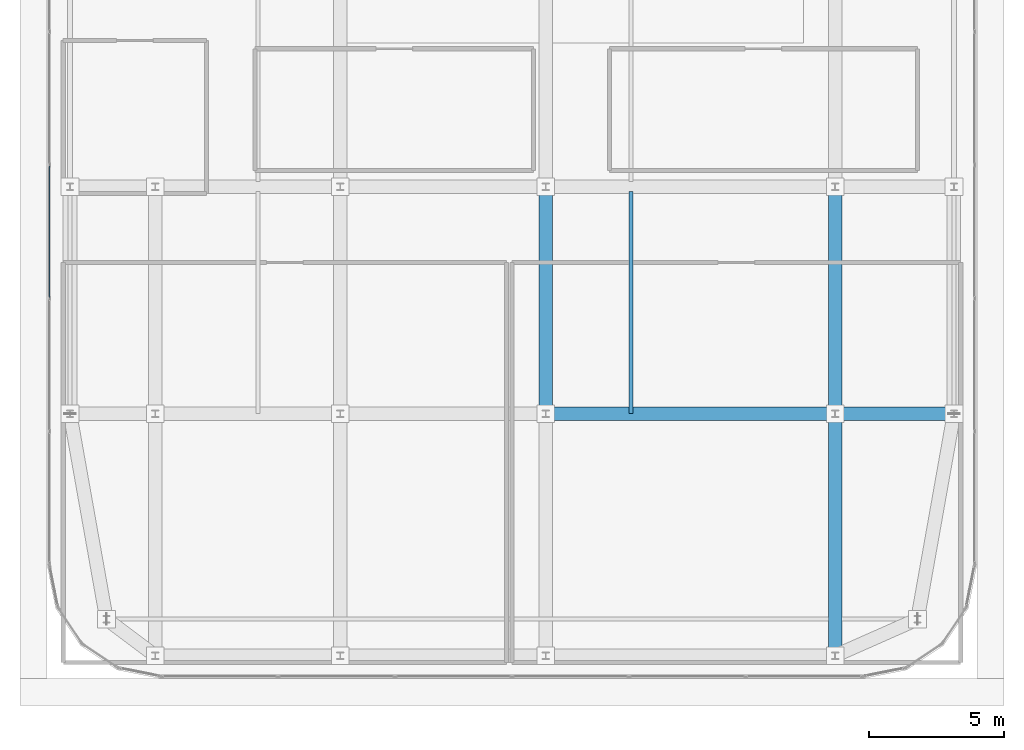
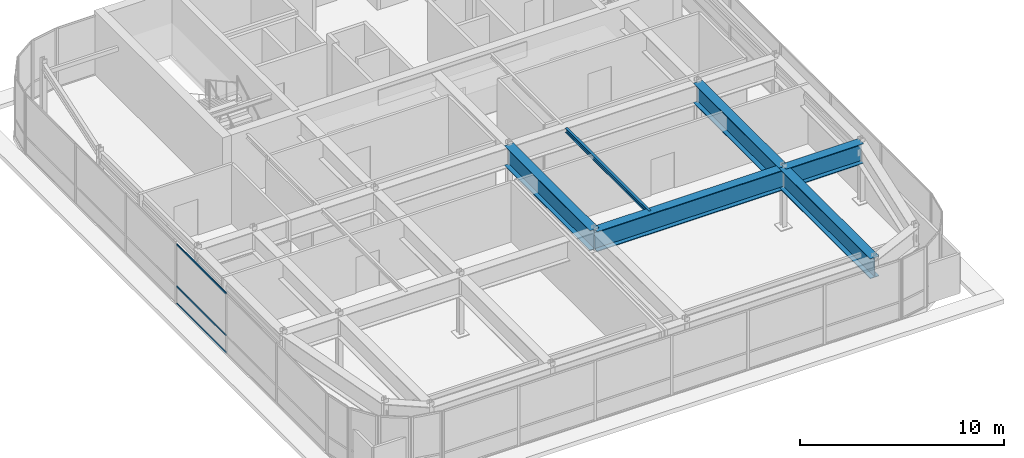
# One storey, part 14 of 35: 6 beams, 3 members, 1 element without a shape of its own.
"""IFC4 building model written with IfcOpenShell, lengths in metres."""

from ifc_helpers import new_model, si_unit, direction, frame, origin, origin_2d, place, context, subcontext, project, spatial, hollow_rectangle, i_section, extrude, source, transform, mapped, material, layer, layer_set, material_profile, profile_set, type_object, type_shapes, element, aggregate, save


model = new_model("IFC4")

# Units and contexts
model_context = context("Model", 3, precision=1e-05, world=origin(), true_north=direction((0.0, 1.0)))
body_context = subcontext(model_context, "Body", "Model", "MODEL_VIEW")
ifc_project = project(units=[si_unit("LENGTHUNIT", "METRE"), si_unit("AREAUNIT", "SQUARE_METRE"), si_unit("VOLUMEUNIT", "CUBIC_METRE"), si_unit("PLANEANGLEUNIT", "RADIAN"), si_unit("MASSUNIT", "GRAM", prefix="KILO")], contexts=[model_context])

# Site, building, storey
site_placement = place(None, origin())
site = spatial("IfcSite", under=ifc_project, at=site_placement, CompositionType="ELEMENT")
building_placement = place(site_placement, origin())
building = spatial("IfcBuilding", under=site, at=building_placement, Name="Tolvann Quenvar Hotel", CompositionType="ELEMENT")
storey_placement = place(building_placement, frame((0.0, 0.0, 290.949951171875)))
storey = spatial("IfcBuildingStorey", under=building, at=storey_placement, Name="L77", CompositionType="ELEMENT", Elevation=290.949951171875)

# Beams
ifc_material_1 = material(Name="Steel Grade 350", Category="steel")
ifc_material_profile_1 = material_profile(ifc_material_1, i_section(OverallWidth=0.5, OverallDepth=1.199951171875, WebThickness=0.01611328125, FlangeThickness=0.0400390625, at=origin_2d()), Name="1200WB455")
ifc_profile_set_1 = profile_set([ifc_material_profile_1], Name="Steel Grade 350")
beam_type_1 = type_object("IfcBeamType", Name="BM_TG_1200WB455", PredefinedType="USERDEFINED", material=ifc_profile_set_1)
shared_shape_1 = source(origin(), body_context, "Body", "SweptSolid", [
    extrude(i_section(OverallWidth=0.5, OverallDepth=1.199951171875, WebThickness=0.01611328125, FlangeThickness=0.0400390625, at=origin_2d()), origin(), (0.0, 0.0, 1.0), 8.949951171875),
])
beam_1_placement = place(storey_placement, frame((32.75, 7.050048828125, 2.97998046875), z_axis=(0.0, 1.0, 0.0), x_axis=(-1.0, 0.0, 0.0)))
element("IfcBeam", 1, at=beam_1_placement, inside=storey, type_object=beam_type_1, Name="BM-L77-NS-FP2-FP4", ObjectType="TRANSFER GIRDER", PredefinedType="USERDEFINED", context=body_context, shape_type="MappedRepresentation", body=[
    mapped(shared_shape_1, transform((0.0, 0.0, 0.0), x_axis=(1.0, 0.0, 0.0), y_axis=(0.0, 1.0, 0.0), z_axis=(0.0, 0.0, 1.0), scale=1.0)),
])
shared_shape_2 = source(origin(), body_context, "Body", "SweptSolid", [
    extrude(i_section(OverallWidth=0.5, OverallDepth=1.199951171875, WebThickness=0.01611328125, FlangeThickness=0.0400390625, at=origin_2d()), origin(), (0.0, 0.0, 1.0), 8.39990234375),
])
for number, where, z_axis, x_axis, name in (
    (2, (22.050048828125, 16.0, 2.97998046875), (0.0, 1.0, 0.0), (-1.0, 0.0, 0.0), "BM-L77-NS-E4-E5"),
    (3, (32.75, 16.0, 2.97998046875), (0.0, 1.0, 0.0), (-1.0, 0.0, 0.0), "BM-L77-NS-FP4-FP5"),
):
    element("IfcBeam", number, at=place(storey_placement, frame(where, z_axis=z_axis, x_axis=x_axis)), inside=storey, type_object=beam_type_1, Name=name, ObjectType="TRANSFER GIRDER", PredefinedType="USERDEFINED", context=body_context, shape_type="MappedRepresentation", body=[
        mapped(shared_shape_2, transform((0.0, 0.0, 0.0), x_axis=(1.0, 0.0, 0.0), y_axis=(0.0, 1.0, 0.0), z_axis=(0.0, 0.0, 1.0), scale=1.0)),
    ])
shared_shape_3 = source(origin(), body_context, "Body", "SweptSolid", [
    extrude(i_section(OverallWidth=0.5, OverallDepth=1.199951171875, WebThickness=0.01611328125, FlangeThickness=0.0400390625, at=origin_2d()), origin(), (0.0, 0.0, 1.0), 10.699951171875),
])
beam_2_placement = place(storey_placement, frame((22.050048828125, 16.0, 2.97998046875), z_axis=(1.0, 0.0, 0.0), x_axis=(0.0, 1.0, 0.0)))
element("IfcBeam", 4, at=beam_2_placement, inside=storey, type_object=beam_type_1, Name="BM-L77-EW-4-E4-FP4", ObjectType="TRANSFER GIRDER", PredefinedType="USERDEFINED", context=body_context, shape_type="MappedRepresentation", body=[
    mapped(shared_shape_3, transform((0.0, 0.0, 0.0), x_axis=(1.0, 0.0, 0.0), y_axis=(0.0, 1.0, 0.0), z_axis=(0.0, 0.0, 1.0), scale=1.0)),
])
shared_shape_4 = source(origin(), body_context, "Body", "SweptSolid", [
    extrude(i_section(OverallWidth=0.5, OverallDepth=1.199951171875, WebThickness=0.01611328125, FlangeThickness=0.0400390625, at=origin_2d()), origin(), (0.0, 0.0, 1.0), 4.39990234375),
])
type_shapes(beam_type_1, [shared_shape_1, shared_shape_2, shared_shape_3, shared_shape_4])
beam_3_placement = place(storey_placement, frame((32.75, 16.0, 2.97998046875), z_axis=(1.0, 0.0, 0.0), x_axis=(0.0, 1.0, 0.0)))
element("IfcBeam", 5, at=beam_3_placement, inside=storey, type_object=beam_type_1, Name="BM-L77-EW-4-FP4-G4", ObjectType="TRANSFER GIRDER", PredefinedType="USERDEFINED", context=body_context, shape_type="MappedRepresentation", body=[
    mapped(shared_shape_4, transform((0.0, 0.0, 0.0), x_axis=(1.0, 0.0, 0.0), y_axis=(0.0, 1.0, 0.0), z_axis=(0.0, 0.0, 1.0), scale=1.0)),
])
ifc_material_profile_2 = material_profile(ifc_material_1, i_section(OverallWidth=0.14599609375, OverallDepth=0.256103515625, WebThickness=0.00634765625, FlangeThickness=0.010986328125, FilletRadius=0.0087890625, at=origin_2d()), Name="250UB37")
ifc_profile_set_2 = profile_set([ifc_material_profile_2], Name="Steel Grade 350")
beam_type_2 = type_object("IfcBeamType", Name="BM_JOIST_250UB37", PredefinedType="JOIST", material=ifc_profile_set_2)
shared_shape_5 = source(origin(), body_context, "Body", "SweptSolid", [
    extrude(i_section(OverallWidth=0.14599609375, OverallDepth=0.256103515625, WebThickness=0.00634765625, FlangeThickness=0.010986328125, FilletRadius=0.0087890625, at=origin_2d()), origin(), (0.0, 0.0, 1.0), 8.215087890625),
])
type_shapes(beam_type_2, [shared_shape_5])
beam_4_placement = place(storey_placement, frame((25.199951171875, 16.0, 3.4521484375), z_axis=(0.0, 1.0, 0.0), x_axis=(-1.0, 0.0, 0.0)))
element("IfcBeam", 6, at=beam_4_placement, inside=storey, type_object=beam_type_2, Name="BJ-L77-252-160", PredefinedType="JOIST", context=body_context, shape_type="MappedRepresentation", body=[
    mapped(shared_shape_5, transform((0.0, 0.0, 0.0), x_axis=(1.0, 0.0, 0.0), y_axis=(0.0, 1.0, 0.0), z_axis=(0.0, 0.0, 1.0), scale=1.0)),
])

# Curtain wall, members
ifc_material_2 = material(Name="Thermally broken anodised architectural aluminium 6063-T6 and laminated low-E glass", Category="aluminium")
ifc_layer = layer(ifc_material_2, 0.179931640625)
ifc_layer_set = layer_set([ifc_layer], Name="Thermally broken anodised architectural aluminium 6063-T6 and laminated low-E glass")
curtain_wall_type = type_object("IfcCurtainWallType", Name="CW_SYS_LANT_06", PredefinedType="USERDEFINED", material=ifc_layer_set)
curtain_wall_placement = place(storey_placement, origin())
curtain_wall = element("IfcCurtainWall", 7, at=curtain_wall_placement, inside=storey, type_object=curtain_wall_type, Name="Curtain Wall CW-LANT-06 (CWR-L77-E19)", ObjectType="UNITISED CURTAIN WALL", PredefinedType="USERDEFINED")
ifc_material_3 = material(Name="Anodised architectural aluminium 6063-T6 framing", Category="aluminium")
ifc_material_profile_3 = material_profile(ifc_material_3, hollow_rectangle(XDim=0.050048828125, YDim=0.10009765625, WallThickness=0.0029296875, at=origin_2d()), Name="100x50x3RHS")
ifc_profile_set_3 = profile_set([ifc_material_profile_3], Name="Anodised architectural aluminium 6063-T6 framing")
member_type = type_object("IfcMemberType", Name="CW_TRAN_100x50", PredefinedType="USERDEFINED", material=ifc_profile_set_3)
shared_shape_6 = source(origin(), body_context, "Body", "SweptSolid", [
    extrude(hollow_rectangle(XDim=0.050048828125, YDim=0.10009765625, WallThickness=0.0029296875, at=origin_2d()), origin(), (0.0, 0.0, 1.0), 4.862548828125),
])
type_shapes(member_type, [shared_shape_6])
member_1_placement = place(storey_placement, frame((3.68994140625, 25.16748046875, 0.025146484375), z_axis=(0.0, -1.0, 0.0), x_axis=(1.0, 0.0, 0.0)))
member_1 = element("IfcMember", 8, at=member_1_placement, type_object=member_type, Name="CW-LANT-06 transom 4.1", ObjectType="TRANSOM", PredefinedType="USERDEFINED", context=body_context, shape_type="MappedRepresentation", body=[
    mapped(shared_shape_6, transform((0.0, 0.0, 0.0), x_axis=(1.0, 0.0, 0.0), y_axis=(0.0, 1.0, 0.0), z_axis=(0.0, 0.0, 1.0), scale=1.0)),
])
member_2_placement = place(storey_placement, frame((3.68994140625, 25.16748046875, 1.050048828125), z_axis=(0.0, -1.0, 0.0), x_axis=(1.0, 0.0, 0.0)))
member_2 = element("IfcMember", 9, at=member_2_placement, type_object=member_type, Name="CW-LANT-06 transom 4.2", ObjectType="TRANSOM", PredefinedType="USERDEFINED", context=body_context, shape_type="MappedRepresentation", body=[
    mapped(shared_shape_6, transform((0.0, 0.0, 0.0), x_axis=(1.0, 0.0, 0.0), y_axis=(0.0, 1.0, 0.0), z_axis=(0.0, 0.0, 1.0), scale=1.0)),
])
member_3_placement = place(storey_placement, frame((3.68994140625, 25.16748046875, 3.554931640625), z_axis=(0.0, -1.0, 0.0), x_axis=(1.0, 0.0, 0.0)))
member_3 = element("IfcMember", 10, at=member_3_placement, type_object=member_type, Name="CW-LANT-06 transom 4.3", ObjectType="TRANSOM", PredefinedType="USERDEFINED", context=body_context, shape_type="MappedRepresentation", body=[
    mapped(shared_shape_6, transform((0.0, 0.0, 0.0), x_axis=(1.0, 0.0, 0.0), y_axis=(0.0, 1.0, 0.0), z_axis=(0.0, 0.0, 1.0), scale=1.0)),
])
aggregate(curtain_wall, [member_1, member_2, member_3])

save(model, "model.ifc")
